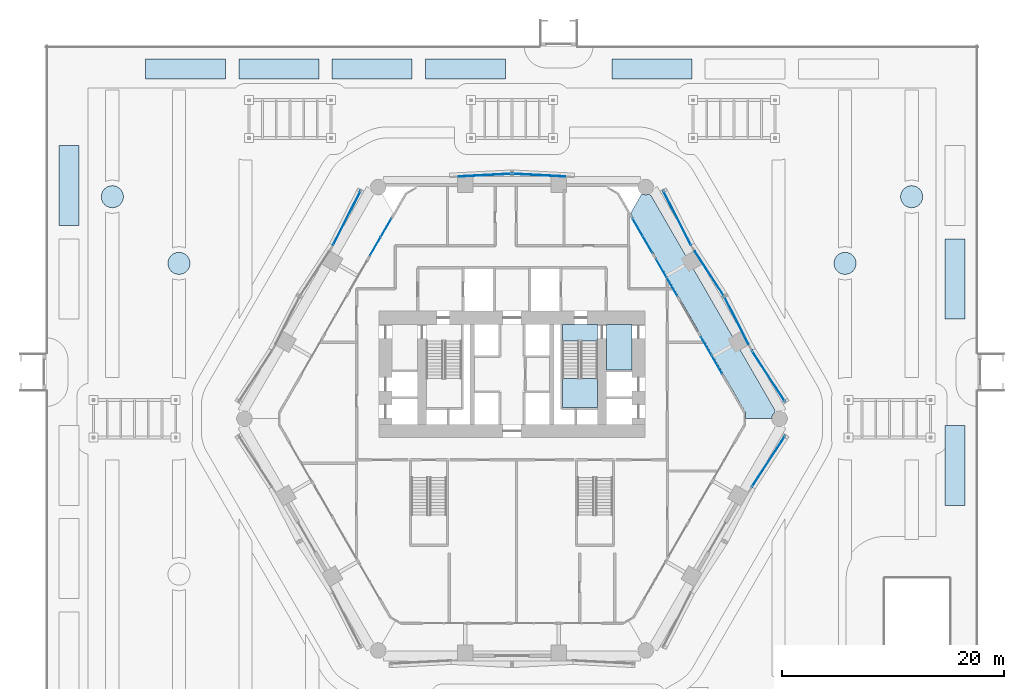
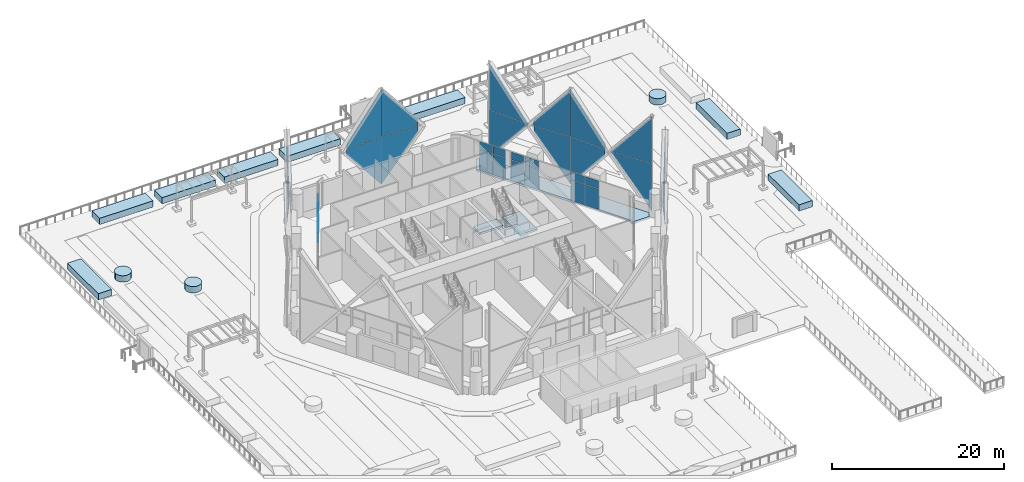
# One storey, part 51 of 71: 32 plates, 16 slabs, 17 elements without a shape of their own.
"""IFC4 building model written with IfcOpenShell, lengths in metres."""

import ifcopenshell
import ifcopenshell.guid

model = None  # the IFC model being written
_history = None  # IfcOwnerHistory: only IFC2X3 demands one
_inside = {}  # id of a spatial element -> (the spatial element, [elements in it])
_under = {}  # id of a project, library or spatial element -> (it, [spatial elements below it])
_declared = {}  # id of a project -> (the project, [libraries it declares])
_typed = {}  # id of a type object -> (the type object, [elements of that type])
_made_of = {}  # id of a material, layer set ... -> (it, [elements and type objects made of it])


def new_model(schema):
    """Start an empty IFC model of exactly this schema.

    Asked for "IFC4X3", IfcOpenShell would pick the latest addendum, in which some entities
    have other attributes; the version numbers below select the first issue.
    IFC2X3 requires an IfcOwnerHistory on every rooted entity: one is made here for all.
    """
    global model, _history
    if schema == "IFC4X3":
        model = ifcopenshell.file(schema_version=(4, 3, 0, 0))
    else:
        model = ifcopenshell.file(schema=schema)
    _inside.clear()
    _under.clear()
    _declared.clear()
    _typed.clear()
    _made_of.clear()
    _history = None
    if model.schema == "IFC2X3":
        org = make("IfcOrganization", Name="unknown")
        user = make(
            "IfcPersonAndOrganization",
            ThePerson=make("IfcPerson", FamilyName="unknown"),
            TheOrganization=org,
        )
        app = make(
            "IfcApplication",
            ApplicationDeveloper=org,
            Version="unknown",
            ApplicationFullName="unknown",
            ApplicationIdentifier="unknown",
        )
        _history = make(
            "IfcOwnerHistory",
            OwningUser=user,
            OwningApplication=app,
            ChangeAction="ADDED",
            CreationDate=0,
        )
    return model


def make(cls, **values):
    """One entity of the class cls with the attributes given. An attribute that is None is left unset."""
    return model.create_entity(
        cls, **{name: value for name, value in values.items() if value is not None}
    )


def rooted(cls, **values):
    """An entity with a GlobalId (a new one), such as an element, a storey or a relation."""
    return make(cls, GlobalId=ifcopenshell.guid.new(), OwnerHistory=_history, **values)


def si_unit(unit_type, name, prefix=None):
    """IfcSIUnit, for example si_unit("LENGTHUNIT", "METRE", prefix="MILLI")."""
    return make("IfcSIUnit", UnitType=unit_type, Prefix=prefix, Name=name)


def assignment(units):
    """IfcUnitAssignment: the units of a project."""
    return None if units is None else make("IfcUnitAssignment", Units=units)


def point(xyz):
    """IfcCartesianPoint."""
    return None if xyz is None else make("IfcCartesianPoint", Coordinates=xyz)


def direction(xyz):
    """IfcDirection."""
    return None if xyz is None else make("IfcDirection", DirectionRatios=xyz)


def frame(location, z_axis=None, x_axis=None):
    """IfcAxis2Placement3D, a coordinate frame: its origin and axes. An axis left out is left unset."""
    return make(
        "IfcAxis2Placement3D",
        Location=point(location),
        Axis=direction(z_axis),
        RefDirection=direction(x_axis),
    )


def frame_2d(location, x_axis=None):
    """IfcAxis2Placement2D, a coordinate frame in the plane: its origin and x axis."""
    return make(
        "IfcAxis2Placement2D", Location=point(location), RefDirection=direction(x_axis)
    )


def origin():
    """The frame at (0, 0, 0) with its axes left unset."""
    return frame((0.0, 0.0, 0.0))


def origin_2d():
    """The frame at (0, 0) in the plane with its x axis left unset."""
    return frame_2d((0.0, 0.0))


def place(relative_to, where):
    """IfcLocalPlacement: puts the frame where relative to a parent placement (None: the world)."""
    return make(
        "IfcLocalPlacement", PlacementRelTo=relative_to, RelativePlacement=where
    )


def context(
    kind, dimensions, precision=None, world=None, true_north=None, identifier=None
):
    """IfcGeometricRepresentationContext, for example the 3D "Model" context."""
    return make(
        "IfcGeometricRepresentationContext",
        ContextIdentifier=identifier,
        ContextType=kind,
        CoordinateSpaceDimension=dimensions,
        Precision=precision,
        WorldCoordinateSystem=world,
        TrueNorth=true_north,
    )


def subcontext(parent, identifier, kind, view, scale=None):
    """IfcGeometricRepresentationSubContext, for example "Body" below "Model"."""
    return make(
        "IfcGeometricRepresentationSubContext",
        ContextIdentifier=identifier,
        ContextType=kind,
        ParentContext=parent,
        TargetScale=scale,
        TargetView=view,
    )


def project(units=None, contexts=None):
    """IfcProject with its units and contexts."""
    return rooted(
        "IfcProject",
        Name="project",
        RepresentationContexts=contexts,
        UnitsInContext=assignment(units),
    )


def spatial(cls, under=None, at=None, **own):
    """A site, building, storey or space (cls), placed at a placement, below another one or the project."""
    s = rooted(cls, ObjectPlacement=at, **own)
    if under is not None:
        _under.setdefault(under.id(), (under, []))[1].append(s)
    return s


def polyline(points):
    """IfcPolyline through the points."""
    return make("IfcPolyline", Points=[point(p) for p in points])


def profile(cls, at=None, kind="AREA", **sizes):
    """A parametric profile (cls). Its sizes go by their IFC names, for example OverallWidth=200.0."""
    return make(cls, ProfileType=kind, Position=at, **sizes)


def rectangle(**sizes):
    """IfcRectangleProfileDef."""
    return profile("IfcRectangleProfileDef", **sizes)


def outline(outer, holes=None, kind="AREA"):
    """IfcArbitraryClosedProfileDef: a profile drawn as a closed curve; with holes, ...WithVoids."""
    if holes is None:
        return make("IfcArbitraryClosedProfileDef", ProfileType=kind, OuterCurve=outer)
    return make(
        "IfcArbitraryProfileDefWithVoids",
        ProfileType=kind,
        OuterCurve=outer,
        InnerCurves=holes,
    )


def extrude(swept, where, along, depth):
    """IfcExtrudedAreaSolid: the profile swept, set in the frame where, extruded along a direction by depth."""
    return make(
        "IfcExtrudedAreaSolid",
        SweptArea=swept,
        Position=where,
        ExtrudedDirection=direction(along),
        Depth=depth,
    )


def shape(context_of_items, identifier, shape_type, items):
    """IfcShapeRepresentation: the items that make up one representation, for example the "Body"."""
    return make(
        "IfcShapeRepresentation",
        ContextOfItems=context_of_items,
        RepresentationIdentifier=identifier,
        RepresentationType=shape_type,
        Items=items,
    )


def material(Name=None, Category=None):
    """IfcMaterial."""
    return make("IfcMaterial", Name=Name, Category=Category)


def layer(
    of_material, thickness, ventilated=None, Name=None, Category=None, Priority=None
):
    """IfcMaterialLayer: one layer of a wall or slab, of a material (None: an air gap)."""
    return make(
        "IfcMaterialLayer",
        Material=of_material,
        LayerThickness=thickness,
        IsVentilated=ventilated,
        Name=Name,
        Category=Category,
        Priority=Priority,
    )


def layer_set(layers, Name=None):
    """IfcMaterialLayerSet."""
    return make("IfcMaterialLayerSet", MaterialLayers=layers, LayerSetName=Name)


def made_of(thing, what):
    """Note that an element or type object is made of a material, layer set ...; save() writes the relation."""
    if what is not None:
        _made_of.setdefault(what.id(), (what, []))[1].append(thing)
    return thing


def type_object(cls, material=None, **own):
    """A type object (cls), such as IfcWallType, which elements share."""
    return made_of(rooted(cls, **own), material)


def element(
    cls,
    number,
    at=None,
    inside=None,
    cuts=None,
    type_object=None,
    material=None,
    context=None,
    identifier="Body",
    shape_type=None,
    held_by="IfcProductDefinitionShape",
    body=None,
    shapes=None,
    **own,
):
    """One element of the class cls, such as IfcWall. Its Tag is "e" and its number.

    at: its placement. inside: the storey or other place that contains it. cuts: it is an
    opening in that element (IfcRelVoidsElement). A single representation is given by context,
    identifier, shape_type and body (its items); several are given by shapes. held_by: the class
    of the entity that holds the representations. save() writes the other relations.
    """
    e = rooted(cls, Tag="e%d" % number, ObjectPlacement=at, **own)
    if body is not None:
        shapes = [shape(context, identifier, shape_type, body)]
    if shapes is not None:
        e.Representation = make(held_by, Representations=shapes)
    if inside is not None:
        _inside.setdefault(inside.id(), (inside, []))[1].append(e)
    if cuts is not None:
        rooted(
            "IfcRelVoidsElement", RelatingBuildingElement=cuts, RelatedOpeningElement=e
        )
    if type_object is not None:
        _typed.setdefault(type_object.id(), (type_object, []))[1].append(e)
    return made_of(e, material)


def aggregate(whole, parts):
    """IfcRelAggregates: a whole, such as a stair, and the parts it consists of."""
    return rooted("IfcRelAggregates", RelatingObject=whole, RelatedObjects=parts)


def save(model, path):
    """Write the relations noted so far, then the file.

    IfcRelAggregates (storeys below a building ...), IfcRelContainedInSpatialStructure (elements
    in a storey), IfcRelDefinesByType, IfcRelAssociatesMaterial and IfcRelDeclares: one each for
    every whole, place, type object, material and project.
    """
    for whole, parts in _under.values():
        aggregate(whole, parts)
    for where, things in _inside.values():
        rooted(
            "IfcRelContainedInSpatialStructure",
            RelatedElements=things,
            RelatingStructure=where,
        )
    for kind, things in _typed.values():
        rooted("IfcRelDefinesByType", RelatedObjects=things, RelatingType=kind)
    for what, things in _made_of.values():
        rooted("IfcRelAssociatesMaterial", RelatedObjects=things, RelatingMaterial=what)
    for by, libraries in _declared.values():
        rooted("IfcRelDeclares", RelatingContext=by, RelatedDefinitions=libraries)
    model.write(path)


model = new_model("IFC4")

# Units and contexts
model_context = context("Model", 3, precision=1e-05, world=origin(), true_north=direction((0.0, 1.0)))
body_context = subcontext(model_context, "Body", "Model", "MODEL_VIEW")
ifc_project = project(units=[si_unit("LENGTHUNIT", "METRE"), si_unit("AREAUNIT", "SQUARE_METRE"), si_unit("VOLUMEUNIT", "CUBIC_METRE"), si_unit("PLANEANGLEUNIT", "RADIAN"), si_unit("MASSUNIT", "GRAM", prefix="KILO")], contexts=[model_context])

# Site, building, storey
site_placement = place(None, origin())
site = spatial("IfcSite", under=ifc_project, at=site_placement, CompositionType="ELEMENT")
building_placement = place(site_placement, origin())
building = spatial("IfcBuilding", under=site, at=building_placement, Name="Ostrander Bayou Hotel Tower", CompositionType="ELEMENT")
storey_placement = place(building_placement, frame((0.0, 0.0, 10.0)))
storey = spatial("IfcBuildingStorey", under=building, at=storey_placement, Name="L02", CompositionType="ELEMENT", Elevation=10.0)

# Curtain wall, plate
ifc_material_1 = material(Name="Aluminium and clear glass", Category="aluminium")
curtain_wall_type_1 = type_object("IfcCurtainWallType", Name="CW-LAT lattice glazing", PredefinedType="NOTDEFINED", material=ifc_material_1)
curtain_wall_1_placement = place(storey_placement, origin())
curtain_wall_1 = element("IfcCurtainWall", 1, at=curtain_wall_1_placement, inside=storey, type_object=curtain_wall_type_1, Name="CW-LAT L02 N 1", PredefinedType="NOTDEFINED")
ifc_material_2 = material(Name="Clear laminated glass", Category="glass")
ifc_layer_1 = layer(ifc_material_2, 0.028076171875)
ifc_layer_set_1 = layer_set([ifc_layer_1], Name="CW-LA glazing panel 28 mm")
plate_type_1 = type_object("IfcPlateType", Name="CW-LA glazing panel 28 mm", PredefinedType="CURTAIN_PANEL", material=ifc_layer_set_1)
plate_1_placement = place(storey_placement, frame((4.8076171875, 21.818115234375, 5.326904296875), z_axis=(0.052335248737, 0.998629571833, 0.0), x_axis=(-0.629612290336, 0.032996134655, -0.776208489361)))
plate_1 = element("IfcPlate", 2, at=plate_1_placement, type_object=plate_type_1, Name="CW-LAT panel 1", PredefinedType="CURTAIN_PANEL", context=body_context, shape_type="SweptSolid", body=[
    extrude(outline(polyline([(0.0, 0.0), (7.635837580193167, 0.0), (2.396430277008797, 4.255715111627925), (-0.6388180707116071, 0.5188807740631415), (0.0, 0.0)])), origin(), (0.0, 0.0, -1.0), 0.028076171875),
])
aggregate(curtain_wall_1, [plate_1])

curtain_wall_2_placement = place(storey_placement, origin())
curtain_wall_2 = element("IfcCurtainWall", 3, at=curtain_wall_2_placement, inside=storey, type_object=curtain_wall_type_1, Name="CW-LAT L02 N 2", PredefinedType="NOTDEFINED")
plate_2_placement = place(storey_placement, frame((4.8076171875, 21.818115234375, 6.97314453125), z_axis=(-0.052335248737, -0.998629571833, 0.0), x_axis=(-0.629627916133, 0.032996953557, 0.776195779608)))
plate_2 = element("IfcPlate", 4, at=plate_2_placement, type_object=plate_type_1, Name="CW-LAT panel 2", PredefinedType="CURTAIN_PANEL", context=body_context, shape_type="SweptSolid", body=[
    extrude(outline(polyline([(0.0, 0.0), (7.635648077718908, -4.440892098500626e-16), (2.39632656536257, 4.2558207305007665), (-0.638997111533043, 0.519047580412637), (0.0, 0.0)])), origin(), (0.0, 0.0, -1.0), 0.028076171875),
])
aggregate(curtain_wall_2, [plate_2])

curtain_wall_3_placement = place(storey_placement, origin())
curtain_wall_3 = element("IfcCurtainWall", 5, at=curtain_wall_3_placement, inside=storey, type_object=curtain_wall_type_1, Name="CW-LAT L02 N 3", PredefinedType="NOTDEFINED")
plate_3_placement = place(storey_placement, frame((-4.8076171875, 21.818115234375, 5.326904296875), z_axis=(0.052335248737, -0.998629571833, 0.0), x_axis=(0.629612290336, 0.032996134655, -0.776208489361)))
plate_3 = element("IfcPlate", 6, at=plate_3_placement, type_object=plate_type_1, Name="CW-LAT panel 3", PredefinedType="CURTAIN_PANEL", context=body_context, shape_type="SweptSolid", body=[
    extrude(outline(polyline([(0.0, 0.0), (7.635837580193167, 0.0), (2.396430277008797, 4.255715111627925), (-0.6388180707116071, 0.5188807740631415), (0.0, 0.0)])), origin(), (0.0, 0.0, -1.0), 0.028076171875),
])
aggregate(curtain_wall_3, [plate_3])

curtain_wall_4_placement = place(storey_placement, origin())
curtain_wall_4 = element("IfcCurtainWall", 7, at=curtain_wall_4_placement, inside=storey, type_object=curtain_wall_type_1, Name="CW-LAT L02 N 4", PredefinedType="NOTDEFINED")
plate_4_placement = place(storey_placement, frame((-4.8076171875, 21.818115234375, 6.97314453125), z_axis=(-0.052335248737, 0.998629571833, 0.0), x_axis=(0.629627916133, 0.032996953557, 0.776195779608)))
plate_4 = element("IfcPlate", 8, at=plate_4_placement, type_object=plate_type_1, Name="CW-LAT panel 4", PredefinedType="CURTAIN_PANEL", context=body_context, shape_type="SweptSolid", body=[
    extrude(outline(polyline([(0.0, 0.0), (7.635648077718908, -4.440892098500626e-16), (2.39632656536257, 4.2558207305007665), (-0.638997111533043, 0.519047580412637), (0.0, 0.0)])), origin(), (0.0, 0.0, -1.0), 0.028076171875),
])
aggregate(curtain_wall_4, [plate_4])

curtain_wall_5_placement = place(storey_placement, origin())
curtain_wall_5 = element("IfcCurtainWall", 9, at=curtain_wall_5_placement, inside=storey, type_object=curtain_wall_type_1, Name="CW-LAT L02 NW 3", PredefinedType="NOTDEFINED")
plate_5_placement = place(storey_placement, frame((-16.126953125, 15.63330078125, 6.14990234375), z_axis=(0.891017407703, -0.453969139007, 0.0), x_axis=(0.286219486036, 0.561770663617, -0.776203663553)))
plate_5 = element("IfcPlate", 10, at=plate_5_placement, type_object=plate_type_1, Name="CW-LAT panel 1", PredefinedType="CURTAIN_PANEL", context=body_context, shape_type="SweptSolid", body=[
    extrude(outline(polyline([(0.0, 0.0), (8.69617127173284, -8.881784197001252e-16), (3.4567965427527145, 4.255755214920665), (0.0, 0.0)])), origin(), (0.0, 0.0, -1.0), 0.028076171875),
])
aggregate(curtain_wall_5, [plate_5])

curtain_wall_6_placement = place(storey_placement, origin())
curtain_wall_6 = element("IfcCurtainWall", 11, at=curtain_wall_6_placement, inside=storey, type_object=curtain_wall_type_1, Name="CW-LAT L02 NW 4", PredefinedType="NOTDEFINED")
plate_6_placement = place(storey_placement, frame((-16.126953125, 15.63330078125, 6.14990234375), z_axis=(-0.891017407703, 0.453969139007, 0.0), x_axis=(0.286219486036, 0.561770663617, 0.776203663553)))
plate_6 = element("IfcPlate", 12, at=plate_6_placement, type_object=plate_type_1, Name="CW-LAT panel 2", PredefinedType="CURTAIN_PANEL", context=body_context, shape_type="SweptSolid", body=[
    extrude(outline(polyline([(0.0, 0.0), (8.69617127173284, -8.881784197001252e-16), (3.4567965427527145, 4.255755214920665), (0.0, 0.0)])), origin(), (0.0, 0.0, -1.0), 0.028076171875),
])
aggregate(curtain_wall_6, [plate_6])

curtain_wall_7_placement = place(storey_placement, origin())
curtain_wall_7 = element("IfcCurtainWall", 13, at=curtain_wall_7_placement, inside=storey, type_object=curtain_wall_type_1, Name="CW-LAT L02 SE 1", PredefinedType="NOTDEFINED")
plate_7_placement = place(storey_placement, frame((21.602294921875, -6.14990234375, 6.14990234375), z_axis=(0.838682608864, -0.544620493178, 0.0), x_axis=(0.343376932244, 0.528779700664, -0.776198628296)))
plate_7 = element("IfcPlate", 14, at=plate_7_placement, type_object=plate_type_1, Name="CW-LAT panel 3", PredefinedType="CURTAIN_PANEL", context=body_context, shape_type="SweptSolid", body=[
    extrude(outline(polyline([(0.0, 0.0), (8.69622768442554, 0.0), (3.4568869434281657, 4.255797058099114), (0.0, 0.0)])), origin(), (0.0, 0.0, -1.0), 0.028076171875),
])
aggregate(curtain_wall_7, [plate_7])

curtain_wall_8_placement = place(storey_placement, origin())
curtain_wall_8 = element("IfcCurtainWall", 15, at=curtain_wall_8_placement, inside=storey, type_object=curtain_wall_type_1, Name="CW-LAT L02 SE 2", PredefinedType="NOTDEFINED")
plate_8_placement = place(storey_placement, frame((21.602294921875, -6.14990234375, 6.14990234375), z_axis=(-0.838682608864, 0.544620493178, 0.0), x_axis=(0.343376932244, 0.528779700664, 0.776198628296)))
plate_8 = element("IfcPlate", 16, at=plate_8_placement, type_object=plate_type_1, Name="CW-LAT panel 4", PredefinedType="CURTAIN_PANEL", context=body_context, shape_type="SweptSolid", body=[
    extrude(outline(polyline([(0.0, 0.0), (8.69622768442554, 0.0), (3.4568869434281657, 4.255797058099114), (0.0, 0.0)])), origin(), (0.0, 0.0, -1.0), 0.028076171875),
])
aggregate(curtain_wall_8, [plate_8])

curtain_wall_9_placement = place(storey_placement, origin())
curtain_wall_9 = element("IfcCurtainWall", 17, at=curtain_wall_9_placement, inside=storey, type_object=curtain_wall_type_1, Name="CW-LAT L02 NE 3", PredefinedType="NOTDEFINED")
plate_9_placement = place(storey_placement, frame((21.602294921875, 6.14990234375, 6.14990234375), z_axis=(-0.838682608864, -0.544620493178, 0.0), x_axis=(0.343376932244, -0.528779700664, -0.776198628296)))
plate_9 = element("IfcPlate", 18, at=plate_9_placement, type_object=plate_type_1, Name="CW-LAT panel 1", PredefinedType="CURTAIN_PANEL", context=body_context, shape_type="SweptSolid", body=[
    extrude(outline(polyline([(0.0, 0.0), (8.69622768442554, 0.0), (3.4568869434281657, 4.255797058099114), (0.0, 0.0)])), origin(), (0.0, 0.0, -1.0), 0.028076171875),
])

curtain_wall_10_placement = place(storey_placement, origin())
curtain_wall_10 = element("IfcCurtainWall", 19, at=curtain_wall_10_placement, inside=storey, type_object=curtain_wall_type_1, Name="CW-LAT L02 NE 4", PredefinedType="NOTDEFINED")
plate_10_placement = place(storey_placement, frame((21.602294921875, 6.14990234375, 6.14990234375), z_axis=(0.838682608864, 0.544620493178, 0.0), x_axis=(0.343376932244, -0.528779700664, 0.776198628296)))
plate_10 = element("IfcPlate", 20, at=plate_10_placement, type_object=plate_type_1, Name="CW-LAT panel 2", PredefinedType="CURTAIN_PANEL", context=body_context, shape_type="SweptSolid", body=[
    extrude(outline(polyline([(0.0, 0.0), (8.69622768442554, 0.0), (3.4568869434281657, 4.255797058099114), (0.0, 0.0)])), origin(), (0.0, 0.0, -1.0), 0.028076171875),
])

curtain_wall_11_placement = place(storey_placement, origin())
curtain_wall_11 = element("IfcCurtainWall", 21, at=curtain_wall_11_placement, inside=storey, type_object=curtain_wall_type_1, Name="CW-LAT L02 NE 1", PredefinedType="NOTDEFINED")
plate_11_placement = place(storey_placement, frame((21.298583984375, 6.74609375, 5.326171875), z_axis=(0.891003109581, 0.453997201222, 0.0), x_axis=(-0.286229179281, 0.561745949327, -0.776217975406)))
plate_11 = element("IfcPlate", 22, at=plate_11_placement, type_object=plate_type_1, Name="CW-LAT panel 3", PredefinedType="CURTAIN_PANEL", context=body_context, shape_type="SweptSolid", body=[
    extrude(outline(polyline([(0.0, 0.0), (7.634800686173872, 4.440892098500626e-16), (2.395329352183567, 4.255636279135456), (-0.6393943967333364, 0.5193329284506303), (0.0, 0.0)])), origin(), (0.0, 0.0, -1.0), 0.028076171875),
])

curtain_wall_12_placement = place(storey_placement, origin())
curtain_wall_12 = element("IfcCurtainWall", 23, at=curtain_wall_12_placement, inside=storey, type_object=curtain_wall_type_1, Name="CW-LAT L02 NE 2", PredefinedType="NOTDEFINED")
plate_12_placement = place(storey_placement, frame((21.298583984375, 6.74609375, 6.973876953125), z_axis=(-0.891003109581, -0.453997201222, 0.0), x_axis=(-0.286236284004, 0.561759892872, 0.776205264398)))
plate_12 = element("IfcPlate", 24, at=plate_12_placement, type_object=plate_type_1, Name="CW-LAT panel 4", PredefinedType="CURTAIN_PANEL", context=body_context, shape_type="SweptSolid", body=[
    extrude(outline(polyline([(0.0, 0.0), (7.634611181383837, 4.440892098500626e-16), (2.3952256466946564, 4.2557419116870525), (-0.6395734295274879, 0.5194997450789859), (0.0, 0.0)])), origin(), (0.0, 0.0, -1.0), 0.028076171875),
])

# Plate
plate_13_placement = place(storey_placement, frame((16.4912109375, 15.072509765625, 5.32666015625), z_axis=(-0.83866831588, -0.544642502875, 0.0), x_axis=(0.343396219021, -0.528779019569, -0.776190559866)))
plate_13 = element("IfcPlate", 25, at=plate_13_placement, type_object=plate_type_1, Name="CW-LAT panel 5", PredefinedType="CURTAIN_PANEL", context=body_context, shape_type="SweptSolid", body=[
    extrude(outline(polyline([(0.0, 0.0), (7.635699426082664, 4.440892098500626e-16), (2.3964131469868084, 4.255864105640347), (-0.6389928144209789, 0.5190528705229763), (0.0, 0.0)])), origin(), (0.0, 0.0, -1.0), 0.028076171875),
])

aggregate(curtain_wall_9, [plate_9, plate_13])

plate_14_placement = place(storey_placement, frame((16.4912109375, 15.072509765625, 6.973388671875), z_axis=(0.83866831588, 0.544642502875, 0.0), x_axis=(0.343404741429, -0.528792142808, 0.776177848994)))
plate_14 = element("IfcPlate", 26, at=plate_14_placement, type_object=plate_type_1, Name="CW-LAT panel 6", PredefinedType="CURTAIN_PANEL", context=body_context, shape_type="SweptSolid", body=[
    extrude(outline(polyline([(0.0, 0.0), (7.6355099279858605, 4.440892098500626e-16), (2.396309447277595, 4.255969727682082), (-0.6391718468398792, 0.519219686468159), (0.0, 0.0)])), origin(), (0.0, 0.0, -1.0), 0.028076171875),
])

aggregate(curtain_wall_10, [plate_10, plate_14])

plate_15_placement = place(storey_placement, frame((16.126953125, 15.63330078125, 6.14990234375), z_axis=(0.891017407703, 0.453969139007, 0.0), x_axis=(-0.286219486036, 0.561770663617, -0.776203663553)))
plate_15 = element("IfcPlate", 27, at=plate_15_placement, type_object=plate_type_1, Name="CW-LAT panel 7", PredefinedType="CURTAIN_PANEL", context=body_context, shape_type="SweptSolid", body=[
    extrude(outline(polyline([(0.0, 0.0), (8.69617127173284, -8.881784197001252e-16), (3.4567965427527145, 4.255755214920665), (0.0, 0.0)])), origin(), (0.0, 0.0, -1.0), 0.028076171875),
])

aggregate(curtain_wall_11, [plate_11, plate_15])

plate_16_placement = place(storey_placement, frame((16.126953125, 15.63330078125, 6.14990234375), z_axis=(-0.891017407703, -0.453969139007, 0.0), x_axis=(-0.286219486036, 0.561770663617, 0.776203663553)))
plate_16 = element("IfcPlate", 28, at=plate_16_placement, type_object=plate_type_1, Name="CW-LAT panel 8", PredefinedType="CURTAIN_PANEL", context=body_context, shape_type="SweptSolid", body=[
    extrude(outline(polyline([(0.0, 0.0), (8.69617127173284, -8.881784197001252e-16), (3.4567965427527145, 4.255755214920665), (0.0, 0.0)])), origin(), (0.0, 0.0, -1.0), 0.028076171875),
])

aggregate(curtain_wall_12, [plate_12, plate_16])

# Curtain wall, plates
ifc_material_3 = material(Name="Aluminium and clear glass", Category="aluminium")
curtain_wall_type_2 = type_object("IfcCurtainWallType", Name="CW-SKY amenity glass wall", PredefinedType="NOTDEFINED", material=ifc_material_3)
curtain_wall_13_placement = place(storey_placement, origin())
curtain_wall_13 = element("IfcCurtainWall", 29, at=curtain_wall_13_placement, inside=storey, type_object=curtain_wall_type_2, Name="CW-SKY L02 NW 1", PredefinedType="NOTDEFINED")
ifc_material_4 = material(Name="Clear laminated glass", Category="glass")
ifc_layer_2 = layer(ifc_material_4, 0.028076171875)
ifc_layer_set_2 = layer_set([ifc_layer_2], Name="CW-SK glazing panel 28 mm")
plate_type_2 = type_object("IfcPlateType", Name="CW-SK glazing panel 28 mm", PredefinedType="CURTAIN_PANEL", material=ifc_layer_set_2)
plate_17_placement = place(storey_placement, frame((-11.3515625, 17.188720703125, 0.06005859375), z_axis=(0.0, 0.0, 1.0), x_axis=(-0.499999897278, -0.866025463091, 0.0)))
plate_17 = element("IfcPlate", 30, at=plate_17_placement, type_object=plate_type_2, Name="CW-SKY panel 1.1", PredefinedType="CURTAIN_PANEL", context=body_context, shape_type="SweptSolid", body=[
    extrude(rectangle(XDim=1.860107421875, YDim=0.028076171875, at=origin_2d()), origin(), (0.0, 0.0, 1.0), 2.909912109375),
])
plate_18_placement = place(storey_placement, frame((-11.3515625, 17.188720703125, 3.02978515625), z_axis=(0.0, 0.0, 1.0), x_axis=(-0.499999897278, -0.866025463091, 0.0)))
plate_18 = element("IfcPlate", 31, at=plate_18_placement, type_object=plate_type_2, Name="CW-SKY panel 1.2", PredefinedType="CURTAIN_PANEL", context=body_context, shape_type="SweptSolid", body=[
    extrude(rectangle(XDim=1.860107421875, YDim=0.028076171875, at=origin_2d()), origin(), (0.0, 0.0, 1.0), 1.110107421875),
])
plate_19_placement = place(storey_placement, frame((-12.3115234375, 15.52587890625, 0.06005859375), z_axis=(0.0, 0.0, 1.0), x_axis=(-0.499999897278, -0.866025463091, 0.0)))
plate_19 = element("IfcPlate", 32, at=plate_19_placement, type_object=plate_type_2, Name="CW-SKY panel 2.1", PredefinedType="CURTAIN_PANEL", context=body_context, shape_type="SweptSolid", body=[
    extrude(rectangle(XDim=1.860107421875, YDim=0.028076171875, at=origin_2d()), origin(), (0.0, 0.0, 1.0), 2.909912109375),
])
plate_20_placement = place(storey_placement, frame((-12.3115234375, 15.52587890625, 3.02978515625), z_axis=(0.0, 0.0, 1.0), x_axis=(-0.499999897278, -0.866025463091, 0.0)))
plate_20 = element("IfcPlate", 33, at=plate_20_placement, type_object=plate_type_2, Name="CW-SKY panel 2.2", PredefinedType="CURTAIN_PANEL", context=body_context, shape_type="SweptSolid", body=[
    extrude(rectangle(XDim=1.860107421875, YDim=0.028076171875, at=origin_2d()), origin(), (0.0, 0.0, 1.0), 1.110107421875),
])
aggregate(curtain_wall_13, [plate_17, plate_18, plate_19, plate_20])

curtain_wall_14_placement = place(storey_placement, origin())
curtain_wall_14 = element("IfcCurtainWall", 34, at=curtain_wall_14_placement, inside=storey, type_object=curtain_wall_type_2, Name="CW-SKY L02 NE 2", PredefinedType="NOTDEFINED")
plate_21_placement = place(storey_placement, frame((18.46142578125, 4.873779296875, 0.06005859375), z_axis=(0.0, 0.0, 1.0), x_axis=(-0.499999897278, 0.866025463091, 0.0)))
plate_21 = element("IfcPlate", 35, at=plate_21_placement, type_object=plate_type_2, Name="CW-SKY panel 1.1", PredefinedType="CURTAIN_PANEL", context=body_context, shape_type="SweptSolid", body=[
    extrude(rectangle(XDim=1.860107421875, YDim=0.028076171875, at=origin_2d()), origin(), (0.0, 0.0, 1.0), 2.909912109375),
])
plate_22_placement = place(storey_placement, frame((18.46142578125, 4.873779296875, 3.02978515625), z_axis=(0.0, 0.0, 1.0), x_axis=(-0.499999897278, 0.866025463091, 0.0)))
plate_22 = element("IfcPlate", 36, at=plate_22_placement, type_object=plate_type_2, Name="CW-SKY panel 1.2", PredefinedType="CURTAIN_PANEL", context=body_context, shape_type="SweptSolid", body=[
    extrude(rectangle(XDim=1.860107421875, YDim=0.028076171875, at=origin_2d()), origin(), (0.0, 0.0, 1.0), 1.110107421875),
])
plate_23_placement = place(storey_placement, frame((17.50146484375, 6.536376953125, 0.06005859375), z_axis=(0.0, 0.0, 1.0), x_axis=(-0.499999897278, 0.866025463091, 0.0)))
plate_23 = element("IfcPlate", 37, at=plate_23_placement, type_object=plate_type_2, Name="CW-SKY panel 2.1", PredefinedType="CURTAIN_PANEL", context=body_context, shape_type="SweptSolid", body=[
    extrude(rectangle(XDim=1.860107421875, YDim=0.028076171875, at=origin_2d()), origin(), (0.0, 0.0, 1.0), 2.909912109375),
])
plate_24_placement = place(storey_placement, frame((17.50146484375, 6.536376953125, 3.02978515625), z_axis=(0.0, 0.0, 1.0), x_axis=(-0.499999897278, 0.866025463091, 0.0)))
plate_24 = element("IfcPlate", 38, at=plate_24_placement, type_object=plate_type_2, Name="CW-SKY panel 2.2", PredefinedType="CURTAIN_PANEL", context=body_context, shape_type="SweptSolid", body=[
    extrude(rectangle(XDim=1.860107421875, YDim=0.028076171875, at=origin_2d()), origin(), (0.0, 0.0, 1.0), 1.110107421875),
])
aggregate(curtain_wall_14, [plate_21, plate_22, plate_23, plate_24])

curtain_wall_15_placement = place(storey_placement, origin())
curtain_wall_15 = element("IfcCurtainWall", 39, at=curtain_wall_15_placement, inside=storey, type_object=curtain_wall_type_2, Name="CW-SKY L02 NE 4", PredefinedType="NOTDEFINED")
plate_25_placement = place(storey_placement, frame((14.41162109375, 11.888671875, 0.06005859375), z_axis=(0.0, 0.0, 1.0), x_axis=(-0.499999897278, 0.866025463091, 0.0)))
plate_25 = element("IfcPlate", 40, at=plate_25_placement, type_object=plate_type_2, Name="CW-SKY panel 1.1", PredefinedType="CURTAIN_PANEL", context=body_context, shape_type="SweptSolid", body=[
    extrude(rectangle(XDim=1.860107421875, YDim=0.028076171875, at=origin_2d()), origin(), (0.0, 0.0, 1.0), 2.909912109375),
])
plate_26_placement = place(storey_placement, frame((14.41162109375, 11.888671875, 3.02978515625), z_axis=(0.0, 0.0, 1.0), x_axis=(-0.499999897278, 0.866025463091, 0.0)))
plate_26 = element("IfcPlate", 41, at=plate_26_placement, type_object=plate_type_2, Name="CW-SKY panel 1.2", PredefinedType="CURTAIN_PANEL", context=body_context, shape_type="SweptSolid", body=[
    extrude(rectangle(XDim=1.860107421875, YDim=0.028076171875, at=origin_2d()), origin(), (0.0, 0.0, 1.0), 1.110107421875),
])
plate_27_placement = place(storey_placement, frame((13.451416015625, 13.55126953125, 0.06005859375), z_axis=(0.0, 0.0, 1.0), x_axis=(-0.499999897278, 0.866025463091, 0.0)))
plate_27 = element("IfcPlate", 42, at=plate_27_placement, type_object=plate_type_2, Name="CW-SKY panel 2.1", PredefinedType="CURTAIN_PANEL", context=body_context, shape_type="SweptSolid", body=[
    extrude(rectangle(XDim=1.860107421875, YDim=0.028076171875, at=origin_2d()), origin(), (0.0, 0.0, 1.0), 2.909912109375),
])
plate_28_placement = place(storey_placement, frame((13.451416015625, 13.55126953125, 3.02978515625), z_axis=(0.0, 0.0, 1.0), x_axis=(-0.499999897278, 0.866025463091, 0.0)))
plate_28 = element("IfcPlate", 43, at=plate_28_placement, type_object=plate_type_2, Name="CW-SKY panel 2.2", PredefinedType="CURTAIN_PANEL", context=body_context, shape_type="SweptSolid", body=[
    extrude(rectangle(XDim=1.860107421875, YDim=0.028076171875, at=origin_2d()), origin(), (0.0, 0.0, 1.0), 1.110107421875),
])
aggregate(curtain_wall_15, [plate_25, plate_26, plate_27, plate_28])

curtain_wall_16_placement = place(storey_placement, origin())
curtain_wall_16 = element("IfcCurtainWall", 44, at=curtain_wall_16_placement, inside=storey, type_object=curtain_wall_type_2, Name="CW-SKY L02 NE 5", PredefinedType="NOTDEFINED")
plate_29_placement = place(storey_placement, frame((12.198974609375, 15.720703125, 0.06005859375), z_axis=(0.0, 0.0, 1.0), x_axis=(-0.499998972029, 0.866025997283, 0.0)))
plate_29 = element("IfcPlate", 45, at=plate_29_placement, type_object=plate_type_2, Name="CW-SKY panel 1.1", PredefinedType="CURTAIN_PANEL", context=body_context, shape_type="SweptSolid", body=[
    extrude(rectangle(XDim=1.7099609375, YDim=0.028076171875, at=origin_2d()), origin(), (0.0, 0.0, 1.0), 2.909912109375),
])
plate_30_placement = place(storey_placement, frame((12.198974609375, 15.720703125, 3.02978515625), z_axis=(0.0, 0.0, 1.0), x_axis=(-0.499998972029, 0.866025997283, 0.0)))
plate_30 = element("IfcPlate", 46, at=plate_30_placement, type_object=plate_type_2, Name="CW-SKY panel 1.2", PredefinedType="CURTAIN_PANEL", context=body_context, shape_type="SweptSolid", body=[
    extrude(rectangle(XDim=1.7099609375, YDim=0.028076171875, at=origin_2d()), origin(), (0.0, 0.0, 1.0), 1.110107421875),
])
plate_31_placement = place(storey_placement, frame((11.31396484375, 17.253662109375, 0.06005859375), z_axis=(0.0, 0.0, 1.0), x_axis=(-0.499998972029, 0.866025997283, 0.0)))
plate_31 = element("IfcPlate", 47, at=plate_31_placement, type_object=plate_type_2, Name="CW-SKY panel 2.1", PredefinedType="CURTAIN_PANEL", context=body_context, shape_type="SweptSolid", body=[
    extrude(rectangle(XDim=1.7099609375, YDim=0.028076171875, at=origin_2d()), origin(), (0.0, 0.0, 1.0), 2.909912109375),
])
plate_32_placement = place(storey_placement, frame((11.31396484375, 17.253662109375, 3.02978515625), z_axis=(0.0, 0.0, 1.0), x_axis=(-0.499998972029, 0.866025997283, 0.0)))
plate_32 = element("IfcPlate", 48, at=plate_32_placement, type_object=plate_type_2, Name="CW-SKY panel 2.2", PredefinedType="CURTAIN_PANEL", context=body_context, shape_type="SweptSolid", body=[
    extrude(rectangle(XDim=1.7099609375, YDim=0.028076171875, at=origin_2d()), origin(), (0.0, 0.0, 1.0), 1.110107421875),
])
aggregate(curtain_wall_16, [plate_29, plate_30, plate_31, plate_32])

# Slabs
ifc_material_5 = material(Name="Concrete f'c 40 MPa", Category="concrete")
ifc_layer_3 = layer(ifc_material_5, 0.89990234375)
ifc_layer_set_3 = layer_set([ifc_layer_3], Name="PL1 planter bed 900 mm soil")
slab_type_1 = type_object("IfcSlabType", Name="PL1 planter bed 900 mm soil", PredefinedType="FLOOR", material=ifc_layer_set_3)
slab_1_placement = place(storey_placement, origin())
element("IfcSlab", 49, at=slab_1_placement, inside=storey, type_object=slab_type_1, Name="PLANTER 1", PredefinedType="FLOOR", context=body_context, shape_type="SweptSolid", body=[
    extrude(outline(polyline([(-25.800048828125, 30.60009765625), (-25.800048828125, 32.39990234375), (-33.0, 32.39990234375), (-33.0, 30.60009765625), (-25.800048828125, 30.60009765625)])), origin(), (0.0, 0.0, 1.0), 0.89990234375),
])
slab_2_placement = place(storey_placement, origin())
element("IfcSlab", 50, at=slab_2_placement, inside=storey, type_object=slab_type_1, Name="PLANTER 3", PredefinedType="FLOOR", context=body_context, shape_type="SweptSolid", body=[
    extrude(outline(polyline([(-17.39990234375, 30.60009765625), (-17.39990234375, 32.39990234375), (-24.60009765625, 32.39990234375), (-24.60009765625, 30.60009765625), (-17.39990234375, 30.60009765625)])), origin(), (0.0, 0.0, 1.0), 0.89990234375),
])
slab_3_placement = place(storey_placement, origin())
element("IfcSlab", 51, at=slab_3_placement, inside=storey, type_object=slab_type_1, Name="PLANTER 5", PredefinedType="FLOOR", context=body_context, shape_type="SweptSolid", body=[
    extrude(outline(polyline([(-9.0, 30.60009765625), (-9.0, 32.39990234375), (-16.199951171875, 32.39990234375), (-16.199951171875, 30.60009765625), (-9.0, 30.60009765625)])), origin(), (0.0, 0.0, 1.0), 0.89990234375),
])
slab_4_placement = place(storey_placement, origin())
element("IfcSlab", 52, at=slab_4_placement, inside=storey, type_object=slab_type_1, Name="PLANTER 7", PredefinedType="FLOOR", context=body_context, shape_type="SweptSolid", body=[
    extrude(outline(polyline([(-0.60009765625, 30.60009765625), (-0.60009765625, 32.39990234375), (-7.800048828125, 32.39990234375), (-7.800048828125, 30.60009765625), (-0.60009765625, 30.60009765625)])), origin(), (0.0, 0.0, 1.0), 0.89990234375),
])
slab_5_placement = place(storey_placement, origin())
element("IfcSlab", 53, at=slab_5_placement, inside=storey, type_object=slab_type_1, Name="PLANTER 10", PredefinedType="FLOOR", context=body_context, shape_type="SweptSolid", body=[
    extrude(outline(polyline([(16.199951171875, 30.60009765625), (16.199951171875, 32.39990234375), (9.0, 32.39990234375), (9.0, 30.60009765625), (16.199951171875, 30.60009765625)])), origin(), (0.0, 0.0, 1.0), 0.89990234375),
])
slab_6_placement = place(storey_placement, origin())
element("IfcSlab", 54, at=slab_6_placement, inside=storey, type_object=slab_type_1, Name="PLANTER 18", PredefinedType="FLOOR", context=body_context, shape_type="SweptSolid", body=[
    extrude(outline(polyline([(40.800048828125, -7.800048828125), (40.800048828125, -0.60009765625), (39.0, -0.60009765625), (39.0, -7.800048828125), (40.800048828125, -7.800048828125)])), origin(), (0.0, 0.0, 1.0), 0.89990234375),
])
slab_7_placement = place(storey_placement, origin())
element("IfcSlab", 55, at=slab_7_placement, inside=storey, type_object=slab_type_1, Name="PLANTER 20", PredefinedType="FLOOR", context=body_context, shape_type="SweptSolid", body=[
    extrude(outline(polyline([(40.800048828125, 9.0), (40.800048828125, 16.199951171875), (39.0, 16.199951171875), (39.0, 9.0), (40.800048828125, 9.0)])), origin(), (0.0, 0.0, 1.0), 0.89990234375),
])
slab_8_placement = place(storey_placement, origin())
element("IfcSlab", 56, at=slab_8_placement, inside=storey, type_object=slab_type_1, Name="PLANTER 21", PredefinedType="FLOOR", context=body_context, shape_type="SweptSolid", body=[
    extrude(outline(polyline([(-39.0, 17.39990234375), (-39.0, 24.60009765625), (-40.800048828125, 24.60009765625), (-40.800048828125, 17.39990234375), (-39.0, 17.39990234375)])), origin(), (0.0, 0.0, 1.0), 0.89990234375),
])
ifc_material_6 = material(Name="Concrete f'c 40 MPa", Category="concrete")
ifc_layer_4 = layer(ifc_material_6, 0.89990234375)
ifc_layer_set_4 = layer_set([ifc_layer_4], Name="PL2 tree pit planter 2000 mm")
slab_type_2 = type_object("IfcSlabType", Name="PL2 tree pit planter 2000 mm", PredefinedType="FLOOR", material=ifc_layer_set_4)
slab_9_placement = place(storey_placement, origin())
element("IfcSlab", 57, at=slab_9_placement, inside=storey, type_object=slab_type_2, Name="PLANTER tree pit 1", PredefinedType="FLOOR", context=body_context, shape_type="SweptSolid", body=[
    extrude(outline(polyline([(-29.0, 14.0), (-29.0341796875, 13.7412109375), (-29.134033203125, 13.5), (-29.29296875, 13.29296875), (-29.5, 13.134033203125), (-29.7412109375, 13.0341796875), (-30.0, 13.0), (-30.2587890625, 13.0341796875), (-30.5, 13.134033203125), (-30.70703125, 13.29296875), (-30.865966796875, 13.5), (-30.9658203125, 13.7412109375), (-31.0, 14.0), (-30.9658203125, 14.2587890625), (-30.865966796875, 14.5), (-30.70703125, 14.70703125), (-30.5, 14.865966796875), (-30.2587890625, 14.9658203125), (-30.0, 15.0), (-29.7412109375, 14.9658203125), (-29.5, 14.865966796875), (-29.29296875, 14.70703125), (-29.134033203125, 14.5), (-29.0341796875, 14.2587890625), (-29.0, 14.0)])), origin(), (0.0, 0.0, 1.0), 0.89990234375),
])
slab_10_placement = place(storey_placement, origin())
element("IfcSlab", 58, at=slab_10_placement, inside=storey, type_object=slab_type_2, Name="PLANTER tree pit 2", PredefinedType="FLOOR", context=body_context, shape_type="SweptSolid", body=[
    extrude(outline(polyline([(31.0, 14.0), (30.9658203125, 13.7412109375), (30.865966796875, 13.5), (30.70703125, 13.29296875), (30.5, 13.134033203125), (30.2587890625, 13.0341796875), (30.0, 13.0), (29.7412109375, 13.0341796875), (29.5, 13.134033203125), (29.29296875, 13.29296875), (29.134033203125, 13.5), (29.0341796875, 13.7412109375), (29.0, 14.0), (29.0341796875, 14.2587890625), (29.134033203125, 14.5), (29.29296875, 14.70703125), (29.5, 14.865966796875), (29.7412109375, 14.9658203125), (30.0, 15.0), (30.2587890625, 14.9658203125), (30.5, 14.865966796875), (30.70703125, 14.70703125), (30.865966796875, 14.5), (30.9658203125, 14.2587890625), (31.0, 14.0)])), origin(), (0.0, 0.0, 1.0), 0.89990234375),
])
slab_11_placement = place(storey_placement, origin())
element("IfcSlab", 59, at=slab_11_placement, inside=storey, type_object=slab_type_2, Name="PLANTER tree pit 4", PredefinedType="FLOOR", context=body_context, shape_type="SweptSolid", body=[
    extrude(outline(polyline([(-35.0, 20.0), (-35.0341796875, 19.7412109375), (-35.134033203125, 19.5), (-35.29296875, 19.29296875), (-35.5, 19.134033203125), (-35.7412109375, 19.0341796875), (-36.0, 19.0), (-36.2587890625, 19.0341796875), (-36.5, 19.134033203125), (-36.70703125, 19.29296875), (-36.865966796875, 19.5), (-36.9658203125, 19.7412109375), (-37.0, 20.0), (-36.9658203125, 20.2587890625), (-36.865966796875, 20.5), (-36.70703125, 20.70703125), (-36.5, 20.865966796875), (-36.2587890625, 20.9658203125), (-36.0, 21.0), (-35.7412109375, 20.9658203125), (-35.5, 20.865966796875), (-35.29296875, 20.70703125), (-35.134033203125, 20.5), (-35.0341796875, 20.2587890625), (-35.0, 20.0)])), origin(), (0.0, 0.0, 1.0), 0.89990234375),
])
slab_12_placement = place(storey_placement, origin())
element("IfcSlab", 60, at=slab_12_placement, inside=storey, type_object=slab_type_2, Name="PLANTER tree pit 5", PredefinedType="FLOOR", context=body_context, shape_type="SweptSolid", body=[
    extrude(outline(polyline([(37.0, 20.0), (36.9658203125, 19.7412109375), (36.865966796875, 19.5), (36.70703125, 19.29296875), (36.5, 19.134033203125), (36.2587890625, 19.0341796875), (36.0, 19.0), (35.7412109375, 19.0341796875), (35.5, 19.134033203125), (35.29296875, 19.29296875), (35.134033203125, 19.5), (35.0341796875, 19.7412109375), (35.0, 20.0), (35.0341796875, 20.2587890625), (35.134033203125, 20.5), (35.29296875, 20.70703125), (35.5, 20.865966796875), (35.7412109375, 20.9658203125), (36.0, 21.0), (36.2587890625, 20.9658203125), (36.5, 20.865966796875), (36.70703125, 20.70703125), (36.865966796875, 20.5), (36.9658203125, 20.2587890625), (37.0, 20.0)])), origin(), (0.0, 0.0, 1.0), 0.89990234375),
])
ifc_material_7 = material(Name="Concrete f'c 40 MPa", Category="concrete")
ifc_layer_5 = layer(ifc_material_7, 0.300048828125)
ifc_layer_set_5 = layer_set([ifc_layer_5], Name="SL1 floor slab 300 mm f'c 40 MPa")
slab_type_3 = type_object("IfcSlabType", Name="SL1 floor slab 300 mm f'c 40 MPa", PredefinedType="FLOOR", material=ifc_layer_set_5)
slab_13_placement = place(storey_placement, frame((0.0, 0.0, -0.300048828125)))
element("IfcSlab", 61, at=slab_13_placement, inside=storey, type_object=slab_type_3, Name="cslab:L02:003", PredefinedType="FLOOR", context=body_context, shape_type="SweptSolid", body=[
    extrude(outline(polyline([(10.800048828125, 4.39990234375), (10.800048828125, 8.5), (8.5, 8.5), (8.5, 4.39990234375), (10.800048828125, 4.39990234375)])), origin(), (0.0, 0.0, 1.0), 0.300048828125),
])
slab_14_placement = place(storey_placement, frame((0.0, 0.0, -0.300048828125)))
element("IfcSlab", 62, at=slab_14_placement, inside=storey, type_object=slab_type_3, Name="cslab:L02:005", PredefinedType="FLOOR", context=body_context, shape_type="SweptSolid", body=[
    extrude(outline(polyline([(7.699951171875, 7.0), (7.699951171875, 8.5), (4.550048828125, 8.5), (4.550048828125, 7.0), (7.699951171875, 7.0)])), origin(), (0.0, 0.0, 1.0), 0.300048828125),
])
ifc_material_8 = material(Name="Concrete f'c 40 MPa", Category="concrete")
ifc_layer_6 = layer(ifc_material_8, 0.300048828125)
ifc_layer_set_6 = layer_set([ifc_layer_6], Name="SL4 loggia slab 300 mm f'c 40 MPa")
slab_type_4 = type_object("IfcSlabType", Name="SL4 loggia slab 300 mm f'c 40 MPa", PredefinedType="FLOOR", material=ifc_layer_set_6)
slab_15_placement = place(storey_placement, frame((0.0, 0.0, -0.300048828125)))
element("IfcSlab", 63, at=slab_15_placement, inside=storey, type_object=slab_type_4, Name="SL4 LOGGIA L02 NE 1", PredefinedType="FLOOR", context=body_context, shape_type="SweptSolid", body=[
    extrude(outline(polyline([(11.7021484375, 20.2685546875), (11.78271484375, 20.2255859375), (11.9140625, 20.185791015625), (12.050537109375, 20.172119140625), (12.187255859375, 20.185791015625), (12.318603515625, 20.2255859375), (12.344482421875, 20.239501953125), (12.49951171875, 20.14990234375), (13.924560546875, 17.681884765625), (14.598388671875, 16.5146484375), (15.667236328125, 14.66357421875), (16.337158203125, 13.503173828125), (19.862548828125, 7.39697265625), (20.53271484375, 6.236328125), (23.7001953125, 0.75), (23.7001953125, 0.572021484375), (23.606201171875, 0.4951171875), (23.519287109375, 0.388916015625), (23.45458984375, 0.267822265625), (23.41455078125, 0.13671875), (23.401123046875, 0.0), (21.015380859375, 0.0), (21.015380859375, 0.60009765625), (10.680908203125, 18.5), (11.7021484375, 20.2685546875)])), origin(), (0.0, 0.0, 1.0), 0.300048828125),
])

# Stair, slab
ifc_material_9 = material(Name="Concrete f'c 45 MPa", Category="concrete")
stair_type = type_object("IfcStairType", Name="ST1 exit stair 1500 mm f'c 45 MPa", PredefinedType="HALF_TURN_STAIR", material=ifc_material_9)
stair_placement = place(storey_placement, origin())
stair = element("IfcStair", 64, at=stair_placement, inside=storey, type_object=stair_type, Name="L02 exit stair B", PredefinedType="HALF_TURN_STAIR")
ifc_material_10 = material(Name="Concrete f'c 45 MPa", Category="concrete")
ifc_layer_7 = layer(ifc_material_10, 0.199951171875)
ifc_layer_set_7 = layer_set([ifc_layer_7], Name="SL8 stair landing 200 mm f'c 45 MPa")
slab_type_5 = type_object("IfcSlabType", Name="SL8 stair landing 200 mm f'c 45 MPa", PredefinedType="LANDING", material=ifc_layer_set_7)
slab_16_placement = place(storey_placement, frame((0.0, 0.0, 2.050048828125)))
slab_16 = element("IfcSlab", 65, at=slab_16_placement, type_object=slab_type_5, Name="STB landing 1", PredefinedType="LANDING", context=body_context, shape_type="SweptSolid", body=[
    extrude(outline(polyline([(4.550048828125, 3.639892578125), (4.550048828125, 1.0), (7.699951171875, 1.0), (7.699951171875, 3.639892578125), (4.550048828125, 3.639892578125)])), origin(), (0.0, 0.0, 1.0), 0.199951171875),
])
aggregate(stair, [slab_16])

save(model, "model.ifc")
